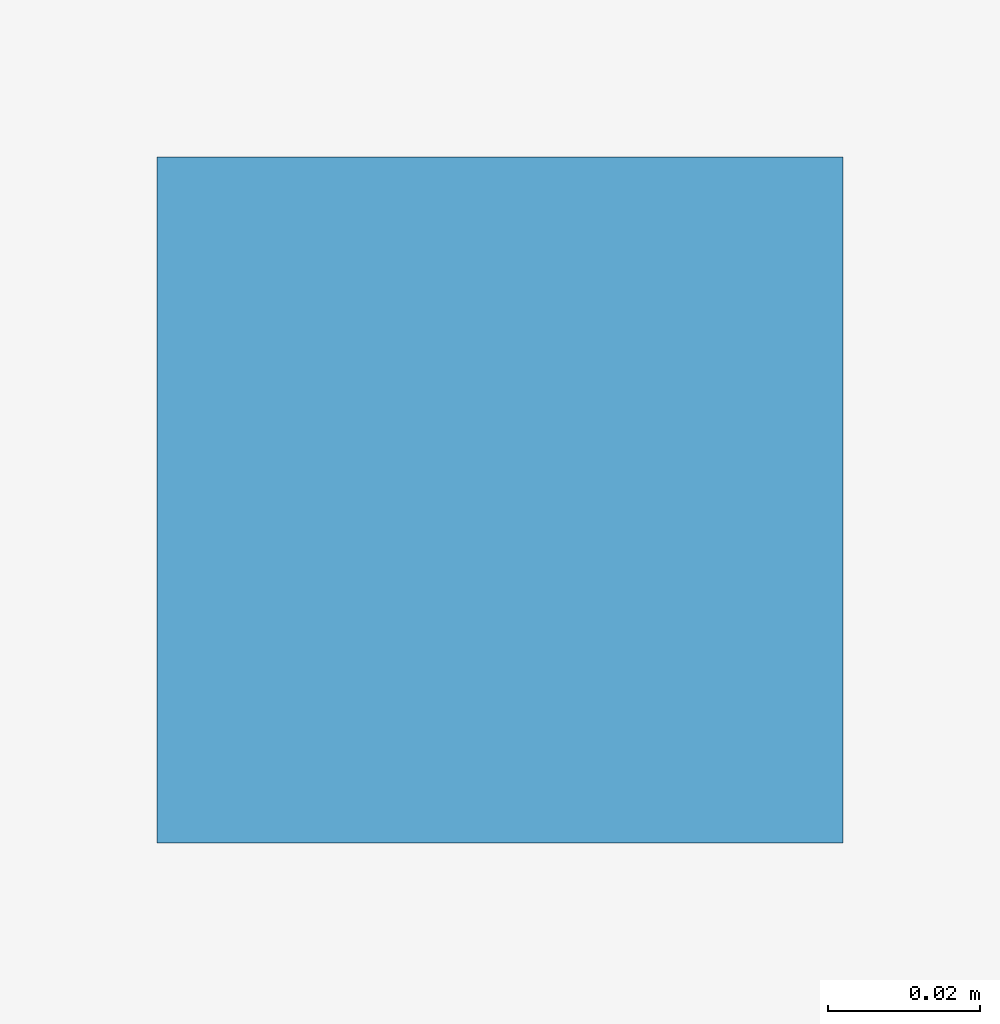
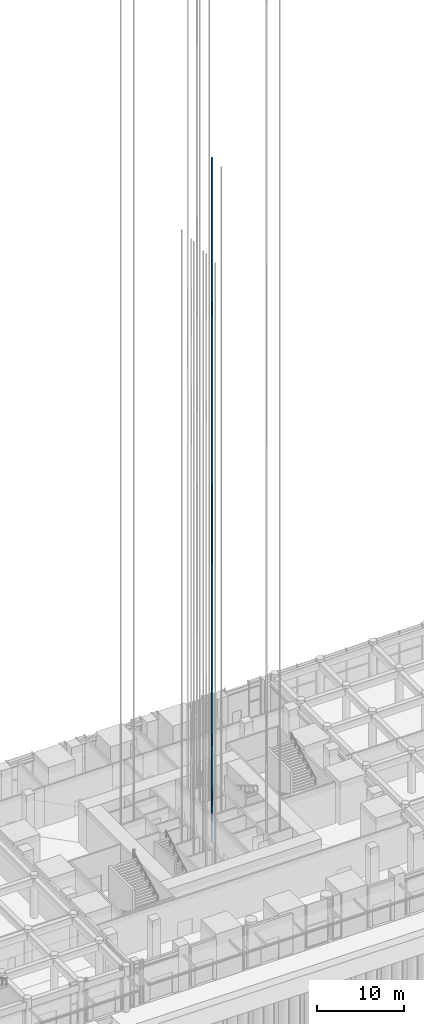
# One storey, part 36 of 46: 1 discrete accessory.
"""IFC4 building model written with IfcOpenShell, lengths in metres."""

from ifc_helpers import new_model, si_unit, direction, frame, origin, origin_2d, place, context, subcontext, project, spatial, rectangle, extrude, element, save


model = new_model("IFC4")

# Units and contexts
model_context = context("Model", 3, precision=1e-05, world=origin(), true_north=direction((0.0, 1.0)))
body_context = subcontext(model_context, "Body", "Model", "MODEL_VIEW")
ifc_project = project(units=[si_unit("LENGTHUNIT", "METRE"), si_unit("AREAUNIT", "SQUARE_METRE"), si_unit("VOLUMEUNIT", "CUBIC_METRE"), si_unit("PLANEANGLEUNIT", "RADIAN"), si_unit("MASSUNIT", "GRAM", prefix="KILO")], contexts=[model_context])

# Site, building, storey
site_placement = place(None, origin())
site = spatial("IfcSite", under=ifc_project, at=site_placement, CompositionType="ELEMENT")
building_placement = place(site_placement, origin())
building = spatial("IfcBuilding", under=site, at=building_placement, Name="Svetlomir Tower", CompositionType="ELEMENT")
storey_placement = place(building_placement, origin())
storey = spatial("IfcBuildingStorey", under=building, at=storey_placement, Name="L00", CompositionType="ELEMENT", Elevation=0.0)

# Discrete accessory
discrete_accessory_placement = place(storey_placement, frame((24.050048828125, 23.574951171875, 0.0), z_axis=(0.0, 0.0, 1.0), x_axis=(1.0, 0.0, 0.0)))
element("IfcDiscreteAccessory", 1, at=discrete_accessory_placement, inside=storey, Name="Lift SH1 guide rail 2", ObjectType="LIFT GUIDE RAIL", PredefinedType="USERDEFINED", context=body_context, shape_type="SweptSolid", body=[
    extrude(rectangle(XDim=0.090087890625, YDim=0.090087890625, at=origin_2d()), origin(), (0.0, 0.0, 1.0), 95.949951171875),
])

save(model, "model.ifc")
